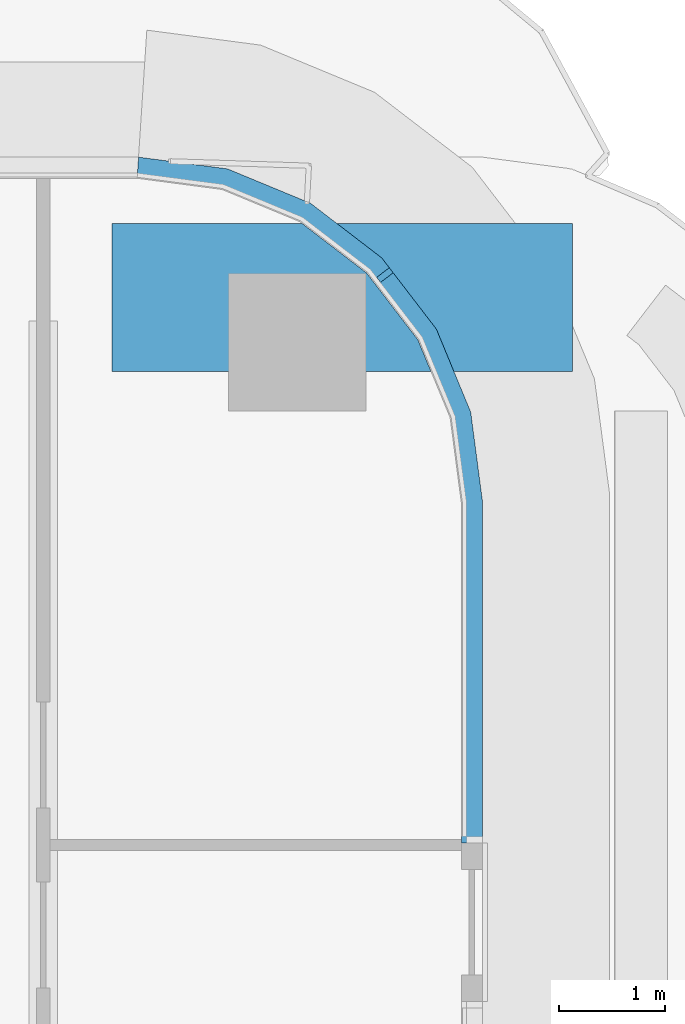
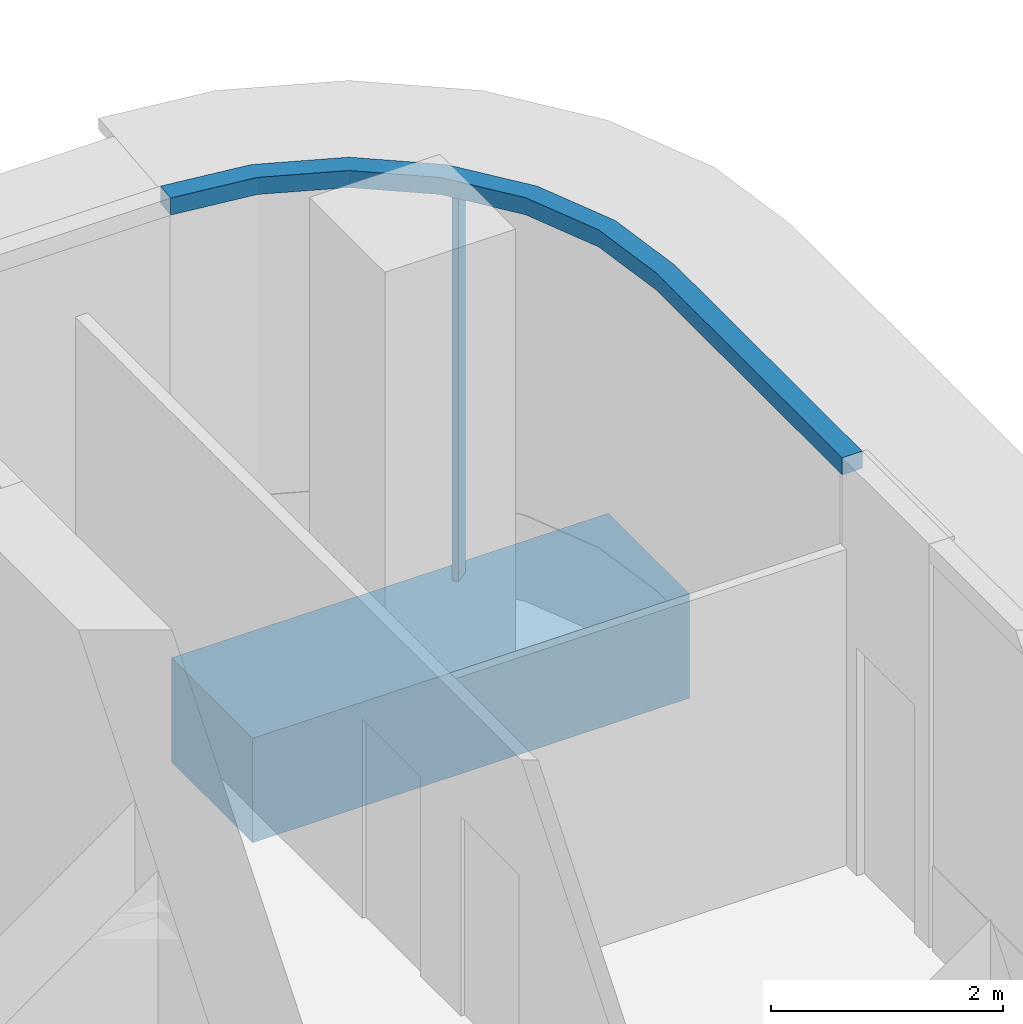
# One storey, part 11 of 21: 2 members, 1 beam, 1 element without a shape of its own.
"""IFC4 building model written with IfcOpenShell, lengths in metres."""

from ifc_helpers import new_model, si_unit, direction, frame, origin, origin_2d, place, context, subcontext, project, spatial, polyline, rectangle, outline, extrude, source, transform, mapped, material, layer, layer_set, material_profile, profile_set, type_object, element, aggregate, save


model = new_model("IFC4")

# Units and contexts
model_context = context("Model", 3, precision=1e-05, world=origin(), true_north=direction((0.0, 1.0)))
body_context = subcontext(model_context, "Body", "Model", "MODEL_VIEW")
ifc_project = project(units=[si_unit("LENGTHUNIT", "METRE"), si_unit("AREAUNIT", "SQUARE_METRE"), si_unit("VOLUMEUNIT", "CUBIC_METRE"), si_unit("PLANEANGLEUNIT", "RADIAN"), si_unit("MASSUNIT", "GRAM", prefix="KILO")], contexts=[model_context])

# Site, building, storey
site_placement = place(None, origin())
site = spatial("IfcSite", under=ifc_project, at=site_placement, CompositionType="ELEMENT")
building_placement = place(site_placement, origin())
building = spatial("IfcBuilding", under=site, at=building_placement, Name="Trellis Farm Tower", CompositionType="ELEMENT")
storey_placement = place(building_placement, frame((0.0, 0.0, 97.5)))
storey = spatial("IfcBuildingStorey", under=building, at=storey_placement, Name="L20", CompositionType="ELEMENT", Elevation=97.5)

# Curtain wall, member
ifc_material_1 = material(Name="Aluminium and glass curtain wall", Category="aluminium")
ifc_layer_1 = layer(ifc_material_1, 0.18994140625)
ifc_layer_set_1 = layer_set([ifc_layer_1], Name="RIBBON CURTAIN WALL CW1")
curtain_wall_type = type_object("IfcCurtainWallType", Name="RIBBON CURTAIN WALL CW1", PredefinedType="NOTDEFINED", material=ifc_layer_set_1)
curtain_wall_placement = place(storey_placement, origin())
curtain_wall = element("IfcCurtainWall", 1, at=curtain_wall_placement, inside=storey, type_object=curtain_wall_type, Name="CW1 008", PredefinedType="NOTDEFINED")
ifc_material_2 = material(Name="Aluminium extrusion 6063-T6", Category="aluminium")
ifc_layer_2 = layer(ifc_material_2, 0.199951171875)
ifc_layer_set_2 = layer_set([ifc_layer_2], Name="Aluminium extrusion 6063-T6")
member_type_1 = type_object("IfcMemberType", Name="CW1 TRANSOM 200x180", PredefinedType="USERDEFINED", material=ifc_layer_set_2)
member_1_placement = place(storey_placement, frame((0.0, 0.0, 4.070068359375)))
member_1 = element("IfcMember", 2, at=member_1_placement, type_object=member_type_1, Name="TR1 008", ObjectType="TRANSOM", PredefinedType="USERDEFINED", context=body_context, shape_type="SweptSolid", body=[
    extrude(outline(polyline([(29.25, 0.02001953125), (29.25, 3.25), (29.13916015625, 4.091064453125), (28.814697265625, 4.875), (28.298095703125, 5.548095703125), (27.625, 6.064697265625), (26.841064453125, 6.38916015625), (26.0, 6.5), (25.98681640625, 6.300048828125), (26.7890625, 6.1943359375), (27.524169921875, 5.889892578125), (28.155517578125, 5.405517578125), (28.639892578125, 4.774169921875), (28.9443359375, 4.0390625), (29.050048828125, 3.23681640625), (29.050048828125, 0.02001953125), (29.25, 0.02001953125)])), origin(), (0.0, 0.0, 1.0), 0.179931640625),
])

# Beam
ifc_material_3 = material(Name="Concrete C80/95", Category="concrete")
ifc_material_profile_1 = material_profile(ifc_material_3, rectangle(XDim=1.39990234375, YDim=1.10009765625, at=origin_2d()), Name="RC transfer beam 1400x1100 C80/95")
ifc_profile_set_1 = profile_set([ifc_material_profile_1], Name="Concrete C80/95")
beam_type = type_object("IfcBeamType", Name="RC transfer beam 1400x1100 C80/95", PredefinedType="BEAM", material=ifc_profile_set_1)
shared_shape_1 = source(origin(), body_context, "Body", "SweptSolid", [
    extrude(rectangle(XDim=1.39990234375, YDim=1.10009765625, at=origin_2d()), origin(), (0.0, 0.0, 1.0), 4.35009765625),
])
beam_placement = place(storey_placement, frame((25.75, 5.175048828125, -0.800048828125), z_axis=(1.0, 0.0, 0.0), x_axis=(0.0, 1.0, 0.0)))
element("IfcBeam", 3, at=beam_placement, inside=storey, type_object=beam_type, Name="Transfer girder", PredefinedType="BEAM", context=body_context, shape_type="MappedRepresentation", body=[
    mapped(shared_shape_1, transform((0.0, 0.0, 0.0))),
])

# Member
ifc_material_profile_2 = material_profile(ifc_material_2, rectangle(XDim=0.06005859375, YDim=0.14990234375, at=origin_2d()), Name="MULLION 60x150")
ifc_profile_set_2 = profile_set([ifc_material_profile_2], Name="Aluminium extrusion 6063-T6")
member_type_2 = type_object("IfcMemberType", Name="CW1 MULLION 60x150", PredefinedType="MULLION", material=ifc_profile_set_2)
shared_shape_2 = source(origin(), body_context, "Body", "SweptSolid", [
    extrude(rectangle(XDim=0.06005859375, YDim=0.14990234375, at=origin_2d()), origin(), (0.0, 0.0, 1.0), 4.070068359375),
])
member_2_placement = place(storey_placement, frame((28.328369140625, 5.385498046875, 0.0), z_axis=(0.0, 0.0, 1.0), x_axis=(-0.608761429009, 0.793353340291, 0.0)))
member_2 = element("IfcMember", 4, at=member_2_placement, type_object=member_type_2, Name="MU1 008-02", PredefinedType="MULLION", context=body_context, shape_type="MappedRepresentation", body=[
    mapped(shared_shape_2, transform((0.0, 0.0, 0.0))),
])

aggregate(curtain_wall, [member_2, member_1])

save(model, "model.ifc")
